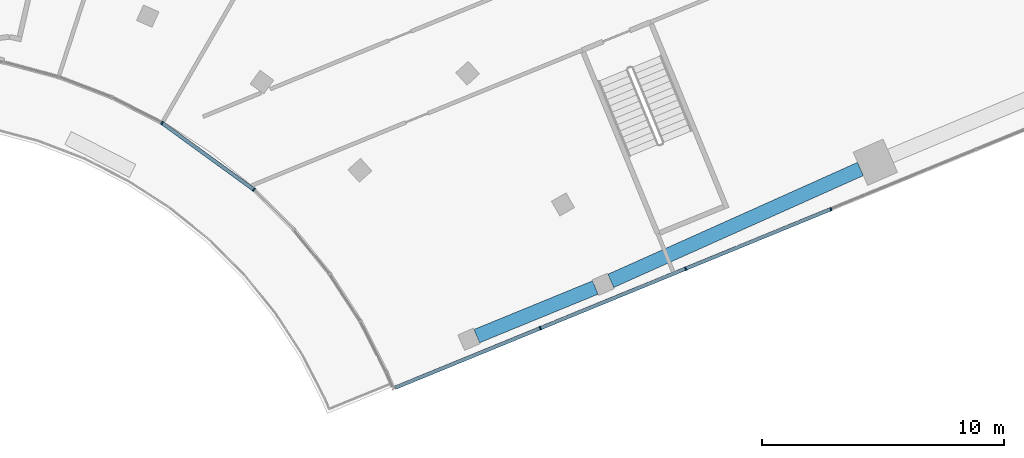
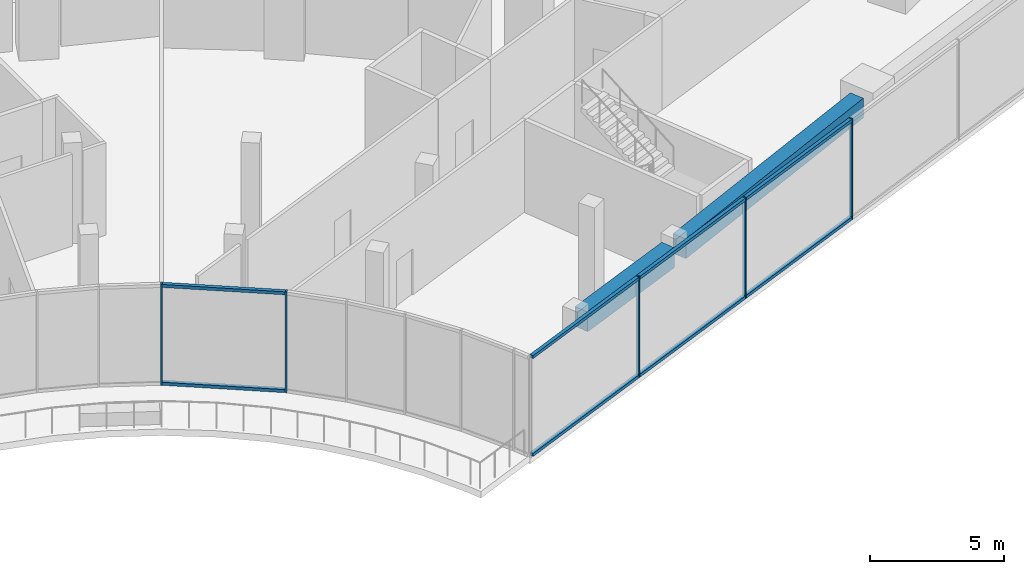
# One storey, part 9 of 40: 13 members, 2 beams, 2 elements without a shape of their own.
"""IFC4 building model written with IfcOpenShell, lengths in metres."""

from ifc_helpers import new_model, si_unit, direction, frame, origin, origin_2d, place, context, subcontext, project, spatial, rectangle, extrude, material, layer, layer_set, material_profile, profile_set, type_object, element, aggregate, save


model = new_model("IFC4")

# Units and contexts
model_context = context("Model", 3, precision=1e-05, world=origin(), true_north=direction((0.0, 1.0)))
body_context = subcontext(model_context, "Body", "Model", "MODEL_VIEW")
ifc_project = project(units=[si_unit("LENGTHUNIT", "METRE"), si_unit("AREAUNIT", "SQUARE_METRE"), si_unit("VOLUMEUNIT", "CUBIC_METRE"), si_unit("PLANEANGLEUNIT", "RADIAN"), si_unit("MASSUNIT", "GRAM", prefix="KILO")], contexts=[model_context])

# Site, building, storey
site_placement = place(None, origin())
site = spatial("IfcSite", under=ifc_project, at=site_placement, CompositionType="ELEMENT")
building_placement = place(site_placement, origin())
building = spatial("IfcBuilding", under=site, at=building_placement, Name="Stone Belt Terrace Tower", CompositionType="ELEMENT")
storey_placement = place(building_placement, frame((0.0, 0.0, 11.60009765625)))
storey = spatial("IfcBuildingStorey", under=building, at=storey_placement, Name="L02", CompositionType="ELEMENT", Elevation=11.60009765625)

# Curtain wall, members
ifc_material_1 = material(Name="Aluminium 6063-T6 anodised frame", Category="aluminium")
ifc_layer = layer(ifc_material_1, 0.14990234375)
ifc_layer_set = layer_set([ifc_layer], Name="CW-D podium shopfront")
curtain_wall_type = type_object("IfcCurtainWallType", Name="CW-D podium shopfront", PredefinedType="NOTDEFINED", material=ifc_layer_set)
curtain_wall_1_placement = place(storey_placement, origin())
curtain_wall_1 = element("IfcCurtainWall", 1, at=curtain_wall_1_placement, inside=storey, type_object=curtain_wall_type, Name="CW-D concave face L02", PredefinedType="NOTDEFINED")
ifc_material_profile_1 = material_profile(ifc_material_1, rectangle(XDim=0.14990234375, YDim=0.06005859375, at=origin_2d()), Name="Aluminium 6063-T6 60x150")
ifc_profile_set_1 = profile_set([ifc_material_profile_1], Name="Aluminium 6063-T6 anodised frame")
member_type_1 = type_object("IfcMemberType", Name="CW-D mullion 60 x 150", PredefinedType="MULLION", material=ifc_profile_set_1)
member_1_placement = place(storey_placement, frame((11.210693359375, 19.42138671875, 0.0), z_axis=(0.0, 0.0, 1.0), x_axis=(0.522498564716, 0.852640164354, 0.0)))
member_1 = element("IfcMember", 2, at=member_1_placement, type_object=member_type_1, Name="CW-D mullion 16", PredefinedType="MULLION", context=body_context, shape_type="SweptSolid", body=[
    extrude(rectangle(XDim=0.14990234375, YDim=0.06005859375, at=origin_2d()), origin(), (0.0, 0.0, 1.0), 4.599853515625),
])
member_2_placement = place(storey_placement, frame((15.006591796875, 16.66357421875, 0.0), z_axis=(0.0, 0.0, 1.0), x_axis=(0.64944804833, 0.7604059656, 0.0)))
member_2 = element("IfcMember", 3, at=member_2_placement, type_object=member_type_1, Name="CW-D mullion 17", PredefinedType="MULLION", context=body_context, shape_type="SweptSolid", body=[
    extrude(rectangle(XDim=0.14990234375, YDim=0.06005859375, at=origin_2d()), origin(), (0.0, 0.0, 1.0), 4.599853515625),
])

curtain_wall_2_placement = place(storey_placement, origin())
curtain_wall_2 = element("IfcCurtainWall", 4, at=curtain_wall_2_placement, inside=storey, type_object=curtain_wall_type, Name="CW-D end face L02", PredefinedType="NOTDEFINED")
member_3_placement = place(storey_placement, frame((26.862060546875, 10.9287109375, 0.0), z_axis=(0.0, 0.0, 1.0), x_axis=(-0.379243093825, 0.925297074342, 0.0)))
member_3 = element("IfcMember", 5, at=member_3_placement, type_object=member_type_1, Name="CW-D mullion 2", PredefinedType="MULLION", context=body_context, shape_type="SweptSolid", body=[
    extrude(rectangle(XDim=0.14990234375, YDim=0.06005859375, at=origin_2d()), origin(), (0.0, 0.0, 1.0), 4.599853515625),
])
member_4_placement = place(storey_placement, frame((32.87646484375, 13.393798828125, 0.0), z_axis=(0.0, 0.0, 1.0), x_axis=(-0.379243093825, 0.925297074342, 0.0)))
member_4 = element("IfcMember", 6, at=member_4_placement, type_object=member_type_1, Name="CW-D mullion 3", PredefinedType="MULLION", context=body_context, shape_type="SweptSolid", body=[
    extrude(rectangle(XDim=0.14990234375, YDim=0.06005859375, at=origin_2d()), origin(), (0.0, 0.0, 1.0), 4.599853515625),
])
member_5_placement = place(storey_placement, frame((38.890869140625, 15.85888671875, 0.0), z_axis=(0.0, 0.0, 1.0), x_axis=(-0.379243093825, 0.925297074342, 0.0)))
member_5 = element("IfcMember", 7, at=member_5_placement, type_object=member_type_1, Name="CW-D mullion 4", PredefinedType="MULLION", context=body_context, shape_type="SweptSolid", body=[
    extrude(rectangle(XDim=0.14990234375, YDim=0.06005859375, at=origin_2d()), origin(), (0.0, 0.0, 1.0), 4.599853515625),
])

# Member
ifc_material_profile_2 = material_profile(ifc_material_1, rectangle(XDim=0.14990234375, YDim=0.139892578125, at=origin_2d()), Name="Aluminium 6063-T6 150x140")
ifc_profile_set_2 = profile_set([ifc_material_profile_2], Name="Aluminium 6063-T6 anodised frame")
member_type_2 = type_object("IfcMemberType", Name="CW-D transom 140 x 150", PredefinedType="USERDEFINED", material=ifc_profile_set_2)
member_6_placement = place(storey_placement, frame((11.23974609375, 19.400390625, 0.06982421875), z_axis=(0.809001065815, -0.587807175449, 0.0), x_axis=(0.587807175449, 0.809001065815, 0.0)))
member_6 = element("IfcMember", 8, at=member_6_placement, type_object=member_type_2, Name="CW-D transom 16.1", ObjectType="TRANSOM", PredefinedType="USERDEFINED", context=body_context, shape_type="SweptSolid", body=[
    extrude(rectangle(XDim=0.14990234375, YDim=0.139892578125, at=origin_2d()), origin(), (0.0, 0.0, 1.0), 4.620361328125),
])

member_7_placement = place(storey_placement, frame((11.23974609375, 19.400390625, 4.52978515625), z_axis=(0.809001065815, -0.587807175449, 0.0), x_axis=(0.587807175449, 0.809001065815, 0.0)))
member_7 = element("IfcMember", 9, at=member_7_placement, type_object=member_type_2, Name="CW-D transom 16.2", ObjectType="TRANSOM", PredefinedType="USERDEFINED", context=body_context, shape_type="SweptSolid", body=[
    extrude(rectangle(XDim=0.14990234375, YDim=0.139892578125, at=origin_2d()), origin(), (0.0, 0.0, 1.0), 4.620361328125),
])

aggregate(curtain_wall_1, [member_1, member_2, member_6, member_7])

member_8_placement = place(storey_placement, frame((20.84765625, 8.463623046875, 0.06982421875), z_axis=(0.925299711882, 0.379236658554, 0.0), x_axis=(-0.379236658554, 0.925299711882, 0.0)))
member_8 = element("IfcMember", 10, at=member_8_placement, type_object=member_type_2, Name="CW-D transom 1.1", ObjectType="TRANSOM", PredefinedType="USERDEFINED", context=body_context, shape_type="SweptSolid", body=[
    extrude(rectangle(XDim=0.14990234375, YDim=0.139892578125, at=origin_2d()), origin(), (0.0, 0.0, 1.0), 6.469970703125),
])

member_9_placement = place(storey_placement, frame((20.84765625, 8.463623046875, 4.52978515625), z_axis=(0.925299711882, 0.379236658554, 0.0), x_axis=(-0.379236658554, 0.925299711882, 0.0)))
member_9 = element("IfcMember", 11, at=member_9_placement, type_object=member_type_2, Name="CW-D transom 1.2", ObjectType="TRANSOM", PredefinedType="USERDEFINED", context=body_context, shape_type="SweptSolid", body=[
    extrude(rectangle(XDim=0.14990234375, YDim=0.139892578125, at=origin_2d()), origin(), (0.0, 0.0, 1.0), 6.469970703125),
])

member_10_placement = place(storey_placement, frame((26.889892578125, 10.93994140625, 0.06982421875), z_axis=(0.925290090483, 0.379260132962, 0.0), x_axis=(-0.379260132962, 0.925290090483, 0.0)))
member_10 = element("IfcMember", 12, at=member_10_placement, type_object=member_type_2, Name="CW-D transom 2.1", ObjectType="TRANSOM", PredefinedType="USERDEFINED", context=body_context, shape_type="SweptSolid", body=[
    extrude(rectangle(XDim=0.14990234375, YDim=0.139892578125, at=origin_2d()), origin(), (0.0, 0.0, 1.0), 6.43994140625),
])

member_11_placement = place(storey_placement, frame((26.889892578125, 10.93994140625, 4.52978515625), z_axis=(0.925290090483, 0.379260132962, 0.0), x_axis=(-0.379260132962, 0.925290090483, 0.0)))
member_11 = element("IfcMember", 13, at=member_11_placement, type_object=member_type_2, Name="CW-D transom 2.2", ObjectType="TRANSOM", PredefinedType="USERDEFINED", context=body_context, shape_type="SweptSolid", body=[
    extrude(rectangle(XDim=0.14990234375, YDim=0.139892578125, at=origin_2d()), origin(), (0.0, 0.0, 1.0), 6.43994140625),
])

member_12_placement = place(storey_placement, frame((32.904296875, 13.405029296875, 0.06982421875), z_axis=(0.925295543226, 0.3792468295, 0.0), x_axis=(-0.3792468295, 0.925295543226, 0.0)))
member_12 = element("IfcMember", 14, at=member_12_placement, type_object=member_type_2, Name="CW-D transom 3.1", ObjectType="TRANSOM", PredefinedType="USERDEFINED", context=body_context, shape_type="SweptSolid", body=[
    extrude(rectangle(XDim=0.14990234375, YDim=0.139892578125, at=origin_2d()), origin(), (0.0, 0.0, 1.0), 6.440185546875),
])

member_13_placement = place(storey_placement, frame((32.904296875, 13.405029296875, 4.52978515625), z_axis=(0.925295543226, 0.3792468295, 0.0), x_axis=(-0.3792468295, 0.925295543226, 0.0)))
member_13 = element("IfcMember", 15, at=member_13_placement, type_object=member_type_2, Name="CW-D transom 3.2", ObjectType="TRANSOM", PredefinedType="USERDEFINED", context=body_context, shape_type="SweptSolid", body=[
    extrude(rectangle(XDim=0.14990234375, YDim=0.139892578125, at=origin_2d()), origin(), (0.0, 0.0, 1.0), 6.440185546875),
])

aggregate(curtain_wall_2, [member_3, member_4, member_5, member_8, member_9, member_10, member_11, member_12, member_13])

# Beams
ifc_material_2 = material(Name="Concrete B60", Category="concrete")
ifc_material_profile_3 = material_profile(ifc_material_2, rectangle(XDim=0.60009765625, YDim=0.89990234375, at=origin_2d()), Name="RC 600x900")
ifc_profile_set_3 = profile_set([ifc_material_profile_3], Name="Concrete B60")
beam_type = type_object("IfcBeamType", Name="Edge beam RC 600x900 B60", PredefinedType="SPANDREL", material=ifc_profile_set_3)
beam_1_placement = place(storey_placement, frame((24.232421875, 10.601806640625, 3.75), z_axis=(0.925289242227, 0.379262202466, 0.0), x_axis=(-0.379262202466, 0.925289242227, 0.0)))
element("IfcBeam", 16, at=beam_1_placement, inside=storey, type_object=beam_type, Name="Edge beam L02 B N to O", PredefinedType="SPANDREL", context=body_context, shape_type="SweptSolid", body=[
    extrude(rectangle(XDim=0.60009765625, YDim=0.89990234375, at=origin_2d()), origin(), (0.0, 0.0, 1.0), 5.301025390625),
])
beam_2_placement = place(storey_placement, frame((29.78076171875, 12.88818359375, 3.75), z_axis=(0.91252459094, 0.409021846519, 0.0), x_axis=(-0.409021846519, 0.91252459094, 0.0)))
element("IfcBeam", 17, at=beam_2_placement, inside=storey, type_object=beam_type, Name="Edge beam L02 B O to P", PredefinedType="SPANDREL", context=body_context, shape_type="SweptSolid", body=[
    extrude(rectangle(XDim=0.60009765625, YDim=0.89990234375, at=origin_2d()), origin(), (0.0, 0.0, 1.0), 11.320556640625),
])

save(model, "model.ifc")
